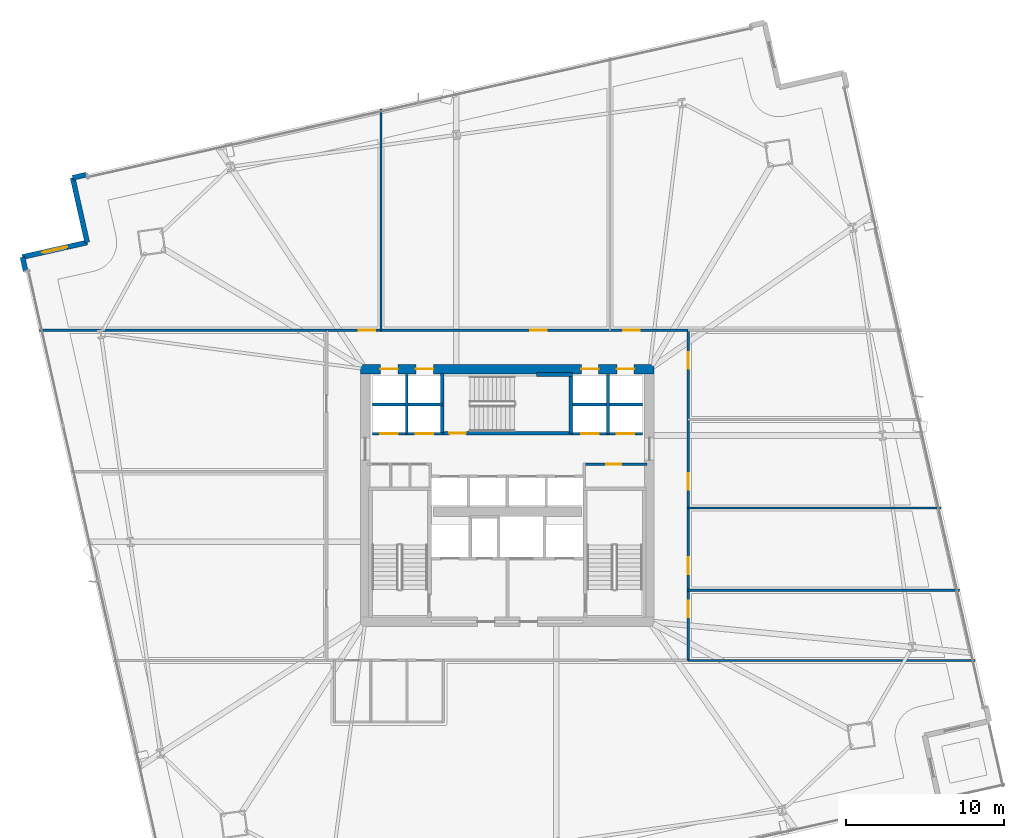
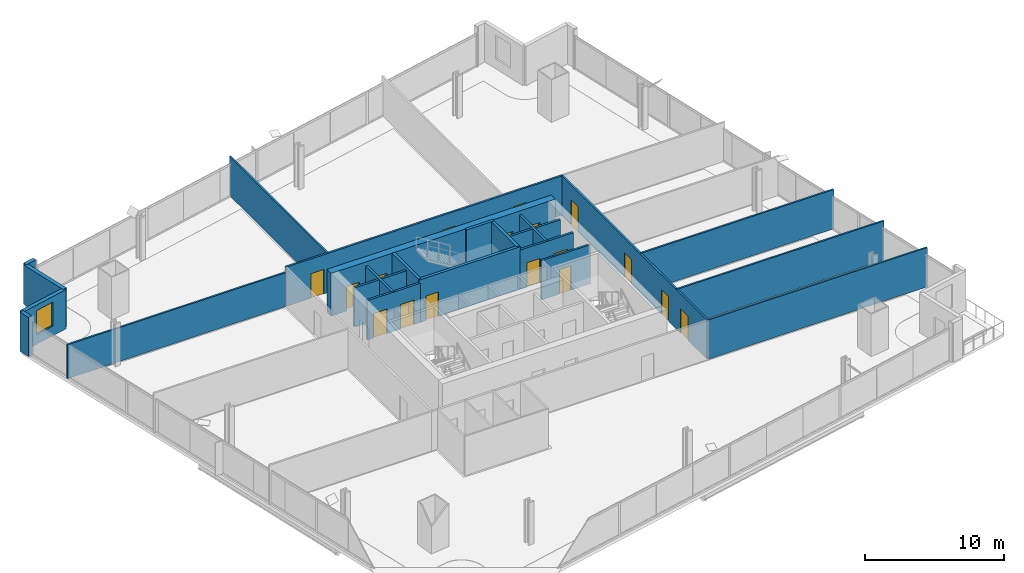
# One storey, part 26 of 32: 23 walls, 17 doors, 1 window, 18 openings.
"""IFC4 building model written with IfcOpenShell, lengths in metres."""

from ifc_helpers import new_model, si_unit, direction, frame, frame_2d, origin, place, context, subcontext, project, spatial, rectangle, extrude, material, layer, layer_set, type_object, element, fill, save


model = new_model("IFC4")

# Units and contexts
model_context = context("Model", 3, precision=1e-05, world=origin(), true_north=direction((0.0, 1.0)))
body_context = subcontext(model_context, "Body", "Model", "MODEL_VIEW")
ifc_project = project(units=[si_unit("LENGTHUNIT", "METRE"), si_unit("AREAUNIT", "SQUARE_METRE"), si_unit("VOLUMEUNIT", "CUBIC_METRE"), si_unit("PLANEANGLEUNIT", "RADIAN"), si_unit("MASSUNIT", "GRAM", prefix="KILO")], contexts=[model_context])

# Site, building, storey
site_placement = place(None, origin())
site = spatial("IfcSite", under=ifc_project, at=site_placement, CompositionType="ELEMENT")
building_placement = place(site_placement, origin())
building = spatial("IfcBuilding", under=site, at=building_placement, Name="Haldenkirk Collegiate Tower", CompositionType="ELEMENT")
storey_placement = place(building_placement, frame((0.0, 0.0, 70.199951171875)))
storey = spatial("IfcBuildingStorey", under=building, at=storey_placement, Name="L16", CompositionType="ELEMENT", Elevation=70.199951171875)

# Wall, openings, doors
ifc_material_1 = material(Name="Concrete f'c 70 MPa", Category="concrete")
ifc_layer_1 = layer(ifc_material_1, 0.60009765625)
ifc_layer_set_1 = layer_set([ifc_layer_1], Name="Concrete f'c 70 MPa")
wall_type_1 = type_object("IfcWallType", Name="WL-CORE-600", PredefinedType="SHEAR", material=ifc_layer_set_1)
wall_1_placement = place(storey_placement, frame((26.699951171875, 34.0, 0.0), z_axis=(0.0, 0.0, 1.0), x_axis=(1.0, 0.0, 0.0)))
wall_1 = element("IfcWall", 1, at=wall_1_placement, inside=storey, type_object=wall_type_1, Name="L16 central core shear wall N", PredefinedType="SHEAR", context=body_context, shape_type="SweptSolid", body=[
    extrude(rectangle(XDim=18.60009765625, YDim=0.60009765625, at=frame_2d((9.300048828125, 0.0))), origin(), (0.0, 0.0, 1.0), 3.75),
])
opening_1_placement = place(wall_1_placement, frame((1.264892578125, 0.0, 0.0)))
opening_1 = element("IfcOpeningElement", 2, at=opening_1_placement, cuts=wall_1, Name="Opening LD-11", PredefinedType="OPENING", context=body_context, shape_type="SweptSolid", body=[
    extrude(rectangle(XDim=1.10009765625, YDim=2.14990234375, at=frame_2d((0.550048828125, 1.074951171875))), frame((0.0, 0.31005859375, 0.0), z_axis=(0.0, -1.0, 0.0), x_axis=(1.0, 0.0, 0.0)), (0.0, 0.0, 1.0), 0.6201171875),
])
opening_2_placement = place(wall_1_placement, frame((3.514892578125, 0.0, 0.0)))
opening_2 = element("IfcOpeningElement", 3, at=opening_2_placement, cuts=wall_1, Name="Opening LD-11", PredefinedType="OPENING", context=body_context, shape_type="SweptSolid", body=[
    extrude(rectangle(XDim=1.10009765625, YDim=2.14990234375, at=frame_2d((0.550048828125, 1.074951171875))), frame((0.0, 0.31005859375, 0.0), z_axis=(0.0, -1.0, 0.0), x_axis=(1.0, 0.0, 0.0)), (0.0, 0.0, 1.0), 0.6201171875),
])
opening_3_placement = place(wall_1_placement, frame((13.985107421875, 0.0, 0.0)))
opening_3 = element("IfcOpeningElement", 4, at=opening_3_placement, cuts=wall_1, Name="Opening LD-11", PredefinedType="OPENING", context=body_context, shape_type="SweptSolid", body=[
    extrude(rectangle(XDim=1.10009765625, YDim=2.14990234375, at=frame_2d((0.550048828125, 1.074951171875))), frame((0.0, 0.31005859375, 0.0), z_axis=(0.0, -1.0, 0.0), x_axis=(1.0, 0.0, 0.0)), (0.0, 0.0, 1.0), 0.6201171875),
])
opening_4_placement = place(wall_1_placement, frame((16.235107421875, 0.0, 0.0)))
opening_4 = element("IfcOpeningElement", 5, at=opening_4_placement, cuts=wall_1, Name="Opening LD-11", PredefinedType="OPENING", context=body_context, shape_type="SweptSolid", body=[
    extrude(rectangle(XDim=1.10009765625, YDim=2.14990234375, at=frame_2d((0.550048828125, 1.074951171875))), frame((0.0, 0.31005859375, 0.0), z_axis=(0.0, -1.0, 0.0), x_axis=(1.0, 0.0, 0.0)), (0.0, 0.0, 1.0), 0.6201171875),
])
ifc_material_2 = material(Name="Brushed architectural stainless steel", Category="steel")
ifc_layer_2 = layer(ifc_material_2, 0.06005859375)
ifc_layer_set_2 = layer_set([ifc_layer_2], Name="Brushed architectural stainless steel")
door_type_1 = type_object("IfcDoorType", Name="LD-PASS-1100", OperationType="NOTDEFINED", PredefinedType="DOOR", material=ifc_layer_set_2)
door_1_placement = place(opening_1_placement, origin())
door_1 = element("IfcDoor", 6, at=door_1_placement, inside=storey, type_object=door_type_1, Name="L16 Elevator PL3 sliding landing door", OperationType="SLIDING_TO_LEFT", OverallHeight=2.14990234375, OverallWidth=1.10009765625, PredefinedType="DOOR", context=body_context, shape_type="SweptSolid", body=[
    extrude(rectangle(XDim=1.10009765625, YDim=2.14990234375, at=frame_2d((0.550048828125, 1.074951171875))), frame((0.0, 0.02490234375, 0.0), z_axis=(0.0, -1.0, 0.0), x_axis=(1.0, 0.0, 0.0)), (0.0, 0.0, 1.0), 0.050048828125),
])
fill(opening_1, door_1)
door_2_placement = place(opening_2_placement, origin())
door_2 = element("IfcDoor", 7, at=door_2_placement, inside=storey, type_object=door_type_1, Name="L16 Elevator PL4 sliding landing door", OperationType="SLIDING_TO_LEFT", OverallHeight=2.14990234375, OverallWidth=1.10009765625, PredefinedType="DOOR", context=body_context, shape_type="SweptSolid", body=[
    extrude(rectangle(XDim=1.10009765625, YDim=2.14990234375, at=frame_2d((0.550048828125, 1.074951171875))), frame((0.0, 0.02490234375, 0.0), z_axis=(0.0, -1.0, 0.0), x_axis=(1.0, 0.0, 0.0)), (0.0, 0.0, 1.0), 0.050048828125),
])
fill(opening_2, door_2)
door_3_placement = place(opening_3_placement, origin())
door_3 = element("IfcDoor", 8, at=door_3_placement, inside=storey, type_object=door_type_1, Name="L16 Elevator PM3 sliding landing door", OperationType="SLIDING_TO_LEFT", OverallHeight=2.14990234375, OverallWidth=1.10009765625, PredefinedType="DOOR", context=body_context, shape_type="SweptSolid", body=[
    extrude(rectangle(XDim=1.10009765625, YDim=2.14990234375, at=frame_2d((0.550048828125, 1.074951171875))), frame((0.0, 0.02490234375, 0.0), z_axis=(0.0, -1.0, 0.0), x_axis=(1.0, 0.0, 0.0)), (0.0, 0.0, 1.0), 0.050048828125),
])
fill(opening_3, door_3)
door_4_placement = place(opening_4_placement, origin())
door_4 = element("IfcDoor", 9, at=door_4_placement, inside=storey, type_object=door_type_1, Name="L16 Elevator PM4 sliding landing door", OperationType="SLIDING_TO_LEFT", OverallHeight=2.14990234375, OverallWidth=1.10009765625, PredefinedType="DOOR", context=body_context, shape_type="SweptSolid", body=[
    extrude(rectangle(XDim=1.10009765625, YDim=2.14990234375, at=frame_2d((0.550048828125, 1.074951171875))), frame((0.0, 0.02490234375, 0.0), z_axis=(0.0, -1.0, 0.0), x_axis=(1.0, 0.0, 0.0)), (0.0, 0.0, 1.0), 0.050048828125),
])
fill(opening_4, door_4)

# Walls
ifc_material_3 = material(Name="Precast concrete f'c 40 MPa", Category="concrete")
ifc_layer_3 = layer(ifc_material_3, 0.320068359375)
ifc_layer_set_3 = layer_set([ifc_layer_3], Name="Precast concrete f'c 40 MPa")
wall_type_2 = type_object("IfcWallType", Name="WL-EXT-TWR-320", PredefinedType="STANDARD", material=ifc_layer_set_3)
wall_2_placement = place(storey_placement, frame((8.477783203125, 46.11083984375, 0.0), z_axis=(0.0, 0.0, 1.0), x_axis=(0.975686665965, 0.219170093439, 0.0)))
element("IfcWall", 10, at=wall_2_placement, inside=storey, type_object=wall_type_2, Name="L16 precast corner pier NL", PredefinedType="STANDARD", context=body_context, shape_type="SweptSolid", body=[
    extrude(rectangle(XDim=0.900146484375, YDim=0.320068359375, at=frame_2d((0.4501953125, 0.0))), origin(), (0.0, 0.0, 1.0), 3.43994140625),
])
wall_3_placement = place(storey_placement, frame((9.3974609375, 42.012939453125, 0.0), z_axis=(0.0, 0.0, 1.0), x_axis=(-0.218979611585, 0.975729434685, 0.0)))
element("IfcWall", 11, at=wall_3_placement, inside=storey, type_object=wall_type_2, Name="L16 bronze precast notch wall 08", PredefinedType="STANDARD", context=body_context, shape_type="SweptSolid", body=[
    extrude(rectangle(XDim=4.199951171875, YDim=0.320068359375, at=frame_2d((2.10009765625, 0.0))), origin(), (0.0, 0.0, 1.0), 3.43994140625),
])

# Wall, opening, window
wall_4_placement = place(storey_placement, frame((5.299560546875, 41.093017578125, 0.0), z_axis=(0.0, 0.0, 1.0), x_axis=(0.975717012714, 0.219034954061, 0.0)))
wall_4 = element("IfcWall", 12, at=wall_4_placement, inside=storey, type_object=wall_type_2, Name="L16 bronze precast notch wall 09", PredefinedType="STANDARD", context=body_context, shape_type="SweptSolid", body=[
    extrude(rectangle(XDim=4.199951171875, YDim=0.320068359375, at=frame_2d((2.10009765625, 0.0))), origin(), (0.0, 0.0, 1.0), 3.43994140625),
])
opening_5_placement = place(wall_4_placement, frame((1.300048828125, 0.0, 0.85009765625)))
opening_5 = element("IfcOpeningElement", 13, at=opening_5_placement, cuts=wall_4, Name="Opening W-03", PredefinedType="OPENING", context=body_context, shape_type="SweptSolid", body=[
    extrude(rectangle(XDim=1.60009765625, YDim=2.10009765625, at=frame_2d((0.800048828125, 1.050048828125))), frame((0.0, 0.169921875, 0.0), z_axis=(0.0, -1.0, 0.0), x_axis=(1.0, 0.0, 0.0)), (0.0, 0.0, 1.0), 0.340087890625),
])
ifc_material_4 = material(Name="Low-E argon triple insulating glass", Category="glass")
ifc_layer_4 = layer(ifc_material_4, 0.090087890625)
ifc_layer_set_4 = layer_set([ifc_layer_4], Name="Low-E argon triple insulating glass")
window_type = type_object("IfcWindowType", Name="WN-Z1-1600X2100", PartitioningType="SINGLE_PANEL", PredefinedType="WINDOW", material=ifc_layer_set_4)
window_placement = place(opening_5_placement, origin())
window = element("IfcWindow", 14, at=window_placement, inside=storey, type_object=window_type, Name="L16 precast-frame academic window 8", OverallHeight=2.10009765625, OverallWidth=1.60009765625, PartitioningType="SINGLE_PANEL", PredefinedType="WINDOW", context=body_context, shape_type="SweptSolid", body=[
    extrude(rectangle(XDim=1.60009765625, YDim=2.10009765625, at=frame_2d((0.800048828125, 1.050048828125))), frame((0.0, 0.030029296875, 0.0), z_axis=(0.0, -1.0, 0.0), x_axis=(1.0, 0.0, 0.0)), (0.0, 0.0, 1.0), 0.06005859375),
])
fill(opening_5, window)

# Wall
wall_5_placement = place(storey_placement, frame((5.49658203125, 40.21484375, 0.0), z_axis=(0.0, 0.0, 1.0), x_axis=(-0.218911849947, 0.975744639725, 0.0)))
element("IfcWall", 15, at=wall_5_placement, inside=storey, type_object=wall_type_2, Name="L16 precast corner pier WR", PredefinedType="STANDARD", context=body_context, shape_type="SweptSolid", body=[
    extrude(rectangle(XDim=0.89990234375, YDim=0.320068359375, at=frame_2d((0.449951171875, 0.0))), origin(), (0.0, 0.0, 1.0), 3.43994140625),
])

# Wall, opening, door
ifc_material_5 = material(Name="Acoustic fire-rated gypsum partition", Category="concrete")
ifc_layer_5 = layer(ifc_material_5, 0.159912109375)
ifc_layer_set_5 = layer_set([ifc_layer_5], Name="Acoustic fire-rated gypsum partition")
wall_type_3 = type_object("IfcWallType", Name="WL-INT-CORR-160", PredefinedType="PARTITIONING", material=ifc_layer_set_5)
wall_6_placement = place(storey_placement, frame((40.800048828125, 27.97998046875, 0.0), z_axis=(0.0, 0.0, 1.0), x_axis=(1.0, 0.0, 0.0)))
wall_6 = element("IfcWall", 16, at=wall_6_placement, inside=storey, type_object=wall_type_3, Name="L16 interior partition IW-L16-VCSE-N", PredefinedType="PARTITIONING", context=body_context, shape_type="SweptSolid", body=[
    extrude(rectangle(XDim=4.050048828125, YDim=0.159912109375, at=frame_2d((2.02490234375, 0.0))), origin(), (0.0, 0.0, 1.0), 3.43994140625),
])
opening_6_placement = place(wall_6_placement, frame((1.47509765625, 0.0, 0.0)))
opening_6 = element("IfcOpeningElement", 17, at=opening_6_placement, cuts=wall_6, Name="Opening D-10", PredefinedType="OPENING", context=body_context, shape_type="SweptSolid", body=[
    extrude(rectangle(XDim=0.949951171875, YDim=2.14990234375, at=frame_2d((0.47509765625, 1.074951171875))), frame((0.0, 0.08984375, 0.0), z_axis=(0.0, -1.0, 0.0), x_axis=(1.0, 0.0, 0.0)), (0.0, 0.0, 1.0), 0.179931640625),
])
ifc_material_6 = material(Name="Solid-core architectural oak fire door", Category="wood")
ifc_layer_6 = layer(ifc_material_6, 0.06005859375)
ifc_layer_set_6 = layer_set([ifc_layer_6], Name="Solid-core architectural oak fire door")
door_type_2 = type_object("IfcDoorType", Name="DR-INT-FD60-950", OperationType="NOTDEFINED", PredefinedType="DOOR", material=ifc_layer_set_6)
door_5_placement = place(opening_6_placement, origin())
door_5 = element("IfcDoor", 18, at=door_5_placement, inside=storey, type_object=door_type_2, Name="L16 core archive vault door", OperationType="SINGLE_SWING_RIGHT", OverallHeight=2.14990234375, OverallWidth=0.949951171875, PredefinedType="DOOR", context=body_context, shape_type="SweptSolid", body=[
    extrude(rectangle(XDim=0.949951171875, YDim=2.14990234375, at=frame_2d((0.47509765625, 1.074951171875))), frame((0.0, 0.02490234375, 0.0), z_axis=(0.0, -1.0, 0.0), x_axis=(1.0, 0.0, 0.0)), (0.0, 0.0, 1.0), 0.050048828125),
])
fill(opening_6, door_5)

# Wall, openings, doors
wall_7_placement = place(storey_placement, frame((24.5, 36.449951171875, 0.0), z_axis=(0.0, 0.0, 1.0), x_axis=(1.0, 0.0, 0.0)))
wall_7 = element("IfcWall", 19, at=wall_7_placement, inside=storey, type_object=wall_type_3, Name="L16 interior partition IW-L16-CN", PredefinedType="PARTITIONING", context=body_context, shape_type="SweptSolid", body=[
    extrude(rectangle(XDim=23.0, YDim=0.159912109375, at=frame_2d((11.5, 0.0))), origin(), (0.0, 0.0, 1.0), 3.43994140625),
])
opening_7_placement = place(wall_7_placement, frame((2.0810546875, 0.0, 0.0)))
opening_7 = element("IfcOpeningElement", 20, at=opening_7_placement, cuts=wall_7, Name="Opening D-09", PredefinedType="OPENING", context=body_context, shape_type="SweptSolid", body=[
    extrude(rectangle(XDim=1.050048828125, YDim=2.14990234375, at=frame_2d((0.52490234375, 1.074951171875))), frame((0.0, 0.08984375, 0.0), z_axis=(0.0, -1.0, 0.0), x_axis=(1.0, 0.0, 0.0)), (0.0, 0.0, 1.0), 0.179931640625),
])
opening_8_placement = place(wall_7_placement, frame((12.955078125, 0.0, 0.0)))
opening_8 = element("IfcOpeningElement", 21, at=opening_8_placement, cuts=wall_7, Name="Opening D-09", PredefinedType="OPENING", context=body_context, shape_type="SweptSolid", body=[
    extrude(rectangle(XDim=1.050048828125, YDim=2.14990234375, at=frame_2d((0.52490234375, 1.074951171875))), frame((0.0, 0.08984375, 0.0), z_axis=(0.0, -1.0, 0.0), x_axis=(1.0, 0.0, 0.0)), (0.0, 0.0, 1.0), 0.179931640625),
])
opening_9_placement = place(wall_7_placement, frame((18.84912109375, 0.0, 0.0)))
opening_9 = element("IfcOpeningElement", 22, at=opening_9_placement, cuts=wall_7, Name="Opening D-09", PredefinedType="OPENING", context=body_context, shape_type="SweptSolid", body=[
    extrude(rectangle(XDim=1.050048828125, YDim=2.14990234375, at=frame_2d((0.52490234375, 1.074951171875))), frame((0.0, 0.08984375, 0.0), z_axis=(0.0, -1.0, 0.0), x_axis=(1.0, 0.0, 0.0)), (0.0, 0.0, 1.0), 0.179931640625),
])
ifc_layer_7 = layer(ifc_material_6, 0.06005859375)
ifc_layer_set_7 = layer_set([ifc_layer_7], Name="Solid-core architectural oak fire door")
door_type_3 = type_object("IfcDoorType", Name="DR-INT-FD60-1050", OperationType="NOTDEFINED", PredefinedType="DOOR", material=ifc_layer_set_7)
door_6_placement = place(opening_7_placement, origin())
door_6 = element("IfcDoor", 23, at=door_6_placement, inside=storey, type_object=door_type_3, Name="L16 Catering Tea Kitchen 2 door", OperationType="SINGLE_SWING_LEFT", OverallHeight=2.14990234375, OverallWidth=1.050048828125, PredefinedType="DOOR", context=body_context, shape_type="SweptSolid", body=[
    extrude(rectangle(XDim=1.050048828125, YDim=2.14990234375, at=frame_2d((0.52490234375, 1.074951171875))), frame((0.0, 0.02490234375, 0.0), z_axis=(0.0, -1.0, 0.0), x_axis=(1.0, 0.0, 0.0)), (0.0, 0.0, 1.0), 0.050048828125),
])
fill(opening_7, door_6)
door_7_placement = place(opening_8_placement, origin())
door_7 = element("IfcDoor", 24, at=door_7_placement, inside=storey, type_object=door_type_3, Name="L16 Faculty Tea Kitchen 3 door", OperationType="SINGLE_SWING_RIGHT", OverallHeight=2.14990234375, OverallWidth=1.050048828125, PredefinedType="DOOR", context=body_context, shape_type="SweptSolid", body=[
    extrude(rectangle(XDim=1.050048828125, YDim=2.14990234375, at=frame_2d((0.52490234375, 1.074951171875))), frame((0.0, 0.02490234375, 0.0), z_axis=(0.0, -1.0, 0.0), x_axis=(1.0, 0.0, 0.0)), (0.0, 0.0, 1.0), 0.050048828125),
])
fill(opening_8, door_7)
door_8_placement = place(opening_9_placement, origin())
door_8 = element("IfcDoor", 25, at=door_8_placement, inside=storey, type_object=door_type_3, Name="L16 Academic Tea Kitchen 4 door", OperationType="SINGLE_SWING_LEFT", OverallHeight=2.14990234375, OverallWidth=1.050048828125, PredefinedType="DOOR", context=body_context, shape_type="SweptSolid", body=[
    extrude(rectangle(XDim=1.050048828125, YDim=2.14990234375, at=frame_2d((0.52490234375, 1.074951171875))), frame((0.0, 0.02490234375, 0.0), z_axis=(0.0, -1.0, 0.0), x_axis=(1.0, 0.0, 0.0)), (0.0, 0.0, 1.0), 0.050048828125),
])
fill(opening_9, door_8)

wall_8_placement = place(storey_placement, frame((47.449951171875, 15.550048828125, 0.0), z_axis=(0.0, 0.0, 1.0), x_axis=(0.0, 1.0, 0.0)))
wall_8 = element("IfcWall", 26, at=wall_8_placement, inside=storey, type_object=wall_type_3, Name="L16 interior partition IW-L16-CE", PredefinedType="PARTITIONING", context=body_context, shape_type="SweptSolid", body=[
    extrude(rectangle(XDim=20.89990234375, YDim=0.159912109375, at=frame_2d((10.449951171875, 0.0))), origin(), (0.0, 0.0, 1.0), 3.43994140625),
])
opening_10_placement = place(wall_8_placement, frame((2.72705078125, 0.0, 0.0)))
opening_10 = element("IfcOpeningElement", 27, at=opening_10_placement, cuts=wall_8, Name="Opening D-09", PredefinedType="OPENING", context=body_context, shape_type="SweptSolid", body=[
    extrude(rectangle(XDim=1.050048828125, YDim=2.14990234375, at=frame_2d((0.52490234375, 1.074951171875))), frame((0.0, 0.08984375, 0.0), z_axis=(0.0, -1.0, 0.0), x_axis=(1.0, 0.0, 0.0)), (0.0, 0.0, 1.0), 0.179931640625),
])
opening_11_placement = place(wall_8_placement, frame((5.468994140625, 0.0, 0.0)))
opening_11 = element("IfcOpeningElement", 28, at=opening_11_placement, cuts=wall_8, Name="Opening D-09", PredefinedType="OPENING", context=body_context, shape_type="SweptSolid", body=[
    extrude(rectangle(XDim=1.050048828125, YDim=2.14990234375, at=frame_2d((0.52490234375, 1.074951171875))), frame((0.0, 0.08984375, 0.0), z_axis=(0.0, -1.0, 0.0), x_axis=(1.0, 0.0, 0.0)), (0.0, 0.0, 1.0), 0.179931640625),
])
opening_12_placement = place(wall_8_placement, frame((10.797119140625, 0.0, 0.0)))
opening_12 = element("IfcOpeningElement", 29, at=opening_12_placement, cuts=wall_8, Name="Opening D-09", PredefinedType="OPENING", context=body_context, shape_type="SweptSolid", body=[
    extrude(rectangle(XDim=1.050048828125, YDim=2.14990234375, at=frame_2d((0.52490234375, 1.074951171875))), frame((0.0, 0.08984375, 0.0), z_axis=(0.0, -1.0, 0.0), x_axis=(1.0, 0.0, 0.0)), (0.0, 0.0, 1.0), 0.179931640625),
])
opening_13_placement = place(wall_8_placement, frame((18.4609375, 0.0, 0.0)))
opening_13 = element("IfcOpeningElement", 30, at=opening_13_placement, cuts=wall_8, Name="Opening D-09", PredefinedType="OPENING", context=body_context, shape_type="SweptSolid", body=[
    extrude(rectangle(XDim=1.050048828125, YDim=2.14990234375, at=frame_2d((0.52490234375, 1.074951171875))), frame((0.0, 0.08984375, 0.0), z_axis=(0.0, -1.0, 0.0), x_axis=(1.0, 0.0, 0.0)), (0.0, 0.0, 1.0), 0.179931640625),
])
door_9_placement = place(opening_10_placement, origin())
door_9 = element("IfcDoor", 31, at=door_9_placement, inside=storey, type_object=door_type_3, Name="L16 Hospitality Tea Kitchen 7 door", OperationType="SINGLE_SWING_RIGHT", OverallHeight=2.14990234375, OverallWidth=1.050048828125, PredefinedType="DOOR", context=body_context, shape_type="SweptSolid", body=[
    extrude(rectangle(XDim=1.050048828125, YDim=2.14990234375, at=frame_2d((0.52490234375, 1.074951171875))), frame((0.0, 0.02490234375, 0.0), z_axis=(0.0, -1.0, 0.0), x_axis=(1.0, 0.0, 0.0)), (0.0, 0.0, 1.0), 0.050048828125),
])
fill(opening_10, door_9)
door_10_placement = place(opening_11_placement, origin())
door_10 = element("IfcDoor", 32, at=door_10_placement, inside=storey, type_object=door_type_3, Name="L16 Catering Tea Kitchen 8 door", OperationType="SINGLE_SWING_LEFT", OverallHeight=2.14990234375, OverallWidth=1.050048828125, PredefinedType="DOOR", context=body_context, shape_type="SweptSolid", body=[
    extrude(rectangle(XDim=1.050048828125, YDim=2.14990234375, at=frame_2d((0.52490234375, 1.074951171875))), frame((0.0, 0.02490234375, 0.0), z_axis=(0.0, -1.0, 0.0), x_axis=(1.0, 0.0, 0.0)), (0.0, 0.0, 1.0), 0.050048828125),
])
fill(opening_11, door_10)
door_11_placement = place(opening_12_placement, origin())
door_11 = element("IfcDoor", 33, at=door_11_placement, inside=storey, type_object=door_type_3, Name="L16 Faculty Tea Kitchen 9 door", OperationType="SINGLE_SWING_RIGHT", OverallHeight=2.14990234375, OverallWidth=1.050048828125, PredefinedType="DOOR", context=body_context, shape_type="SweptSolid", body=[
    extrude(rectangle(XDim=1.050048828125, YDim=2.14990234375, at=frame_2d((0.52490234375, 1.074951171875))), frame((0.0, 0.02490234375, 0.0), z_axis=(0.0, -1.0, 0.0), x_axis=(1.0, 0.0, 0.0)), (0.0, 0.0, 1.0), 0.050048828125),
])
fill(opening_12, door_11)
door_12_placement = place(opening_13_placement, origin())
door_12 = element("IfcDoor", 34, at=door_12_placement, inside=storey, type_object=door_type_3, Name="L16 Academic Tea Kitchen 10 door", OperationType="SINGLE_SWING_LEFT", OverallHeight=2.14990234375, OverallWidth=1.050048828125, PredefinedType="DOOR", context=body_context, shape_type="SweptSolid", body=[
    extrude(rectangle(XDim=1.050048828125, YDim=2.14990234375, at=frame_2d((0.52490234375, 1.074951171875))), frame((0.0, 0.02490234375, 0.0), z_axis=(0.0, -1.0, 0.0), x_axis=(1.0, 0.0, 0.0)), (0.0, 0.0, 1.0), 0.050048828125),
])
fill(opening_13, door_12)

# Walls
ifc_layer_8 = layer(ifc_material_5, 0.139892578125)
ifc_layer_set_8 = layer_set([ifc_layer_8], Name="Acoustic fire-rated gypsum partition")
wall_type_4 = type_object("IfcWallType", Name="WL-INT-DIV-140", PredefinedType="PARTITIONING", material=ifc_layer_set_8)
wall_9_placement = place(storey_placement, frame((6.382568359375, 36.449951171875, 0.0), z_axis=(0.0, 0.0, 1.0), x_axis=(1.0, 0.0, 0.0)))
element("IfcWall", 35, at=wall_9_placement, inside=storey, type_object=wall_type_4, Name="L16 interior partition IW-L16-BWN", PredefinedType="PARTITIONING", context=body_context, shape_type="SweptSolid", body=[
    extrude(rectangle(XDim=18.16748046875, YDim=0.139892578125, at=frame_2d((9.083740234375, 0.0))), origin(), (0.0, 0.0, 1.0), 2.97216796875),
])
wall_10_placement = place(storey_placement, frame((47.449951171875, 15.550048828125, 0.0), z_axis=(0.0, 0.0, 1.0), x_axis=(1.0, 0.0, 0.0)))
element("IfcWall", 36, at=wall_10_placement, inside=storey, type_object=wall_type_4, Name="L16 interior partition IW-L16-BES", PredefinedType="PARTITIONING", context=body_context, shape_type="SweptSolid", body=[
    extrude(rectangle(XDim=18.16748046875, YDim=0.139892578125, at=frame_2d((9.083740234375, 0.0))), origin(), (0.0, 0.0, 1.0), 3.43994140625),
])
wall_11_placement = place(storey_placement, frame((28.0, 36.449951171875, 0.0), z_axis=(0.0, 0.0, 1.0), x_axis=(0.0, 1.0, 0.0)))
element("IfcWall", 37, at=wall_11_placement, inside=storey, type_object=wall_type_4, Name="L16 interior partition IW-L16-RN1", PredefinedType="PARTITIONING", context=body_context, shape_type="SweptSolid", body=[
    extrude(rectangle(XDim=14.001708984375, YDim=0.139892578125, at=frame_2d((7.0009765625, 0.0))), origin(), (0.0, 0.0, 1.0), 3.43994140625),
])
wall_12_placement = place(storey_placement, frame((47.449951171875, 20.0, 0.0), z_axis=(0.0, 0.0, 1.0), x_axis=(1.0, 0.0, 0.0)))
element("IfcWall", 38, at=wall_12_placement, inside=storey, type_object=wall_type_4, Name="L16 interior partition IW-L16-RE1", PredefinedType="PARTITIONING", context=body_context, shape_type="SweptSolid", body=[
    extrude(rectangle(XDim=17.168701171875, YDim=0.139892578125, at=frame_2d((8.58447265625, 0.0))), origin(), (0.0, 0.0, 1.0), 3.43994140625),
])
wall_13_placement = place(storey_placement, frame((47.449951171875, 25.199951171875, 0.0), z_axis=(0.0, 0.0, 1.0), x_axis=(1.0, 0.0, 0.0)))
element("IfcWall", 39, at=wall_13_placement, inside=storey, type_object=wall_type_4, Name="L16 interior partition IW-L16-RE2", PredefinedType="PARTITIONING", context=body_context, shape_type="SweptSolid", body=[
    extrude(rectangle(XDim=16.001708984375, YDim=0.139892578125, at=frame_2d((8.0009765625, 0.0))), origin(), (0.0, 0.0, 1.0), 3.43994140625),
])

# Wall, openings, doors
ifc_material_7 = material(Name="Fire-rated gypsum shaftboard assembly", Category="concrete")
ifc_layer_9 = layer(ifc_material_7, 0.179931640625)
ifc_layer_set_9 = layer_set([ifc_layer_9], Name="Fire-rated gypsum shaftboard assembly")
wall_type_5 = type_object("IfcWallType", Name="WL-INT-SHAFT-180", PredefinedType="PARTITIONING", material=ifc_layer_set_9)
wall_14_placement = place(storey_placement, frame((27.449951171875, 29.89990234375, 0.0), z_axis=(0.0, 0.0, 1.0), x_axis=(1.0, 0.0, 0.0)))
wall_14 = element("IfcWall", 40, at=wall_14_placement, inside=storey, type_object=wall_type_5, Name="L16 interior partition IW-L16-PLS", PredefinedType="PARTITIONING", context=body_context, shape_type="SweptSolid", body=[
    extrude(rectangle(XDim=4.429931640625, YDim=0.179931640625, at=frame_2d((2.21484375, 0.0))), origin(), (0.0, 0.0, 1.0), 3.43994140625),
])
opening_14_placement = place(wall_14_placement, frame((0.514892578125, 0.0, 0.0)))
opening_14 = element("IfcOpeningElement", 41, at=opening_14_placement, cuts=wall_14, Name="Opening LD-11", PredefinedType="OPENING", context=body_context, shape_type="SweptSolid", body=[
    extrude(rectangle(XDim=1.10009765625, YDim=2.14990234375, at=frame_2d((0.550048828125, 1.074951171875))), frame((0.0, 0.099853515625, 0.0), z_axis=(0.0, -1.0, 0.0), x_axis=(1.0, 0.0, 0.0)), (0.0, 0.0, 1.0), 0.199951171875),
])
opening_15_placement = place(wall_14_placement, frame((2.764892578125, 0.0, 0.0)))
opening_15 = element("IfcOpeningElement", 42, at=opening_15_placement, cuts=wall_14, Name="Opening LD-11", PredefinedType="OPENING", context=body_context, shape_type="SweptSolid", body=[
    extrude(rectangle(XDim=1.10009765625, YDim=2.14990234375, at=frame_2d((0.550048828125, 1.074951171875))), frame((0.0, 0.099853515625, 0.0), z_axis=(0.0, -1.0, 0.0), x_axis=(1.0, 0.0, 0.0)), (0.0, 0.0, 1.0), 0.199951171875),
])
door_13_placement = place(opening_14_placement, origin())
door_13 = element("IfcDoor", 43, at=door_13_placement, inside=storey, type_object=door_type_1, Name="L16 Elevator PL1 sliding landing door", OperationType="SLIDING_TO_LEFT", OverallHeight=2.14990234375, OverallWidth=1.10009765625, PredefinedType="DOOR", context=body_context, shape_type="SweptSolid", body=[
    extrude(rectangle(XDim=1.10009765625, YDim=2.14990234375, at=frame_2d((0.550048828125, 1.074951171875))), frame((0.0, 0.02490234375, 0.0), z_axis=(0.0, -1.0, 0.0), x_axis=(1.0, 0.0, 0.0)), (0.0, 0.0, 1.0), 0.050048828125),
])
fill(opening_14, door_13)
door_14_placement = place(opening_15_placement, origin())
door_14 = element("IfcDoor", 44, at=door_14_placement, inside=storey, type_object=door_type_1, Name="L16 Elevator PL2 sliding landing door", OperationType="SLIDING_TO_LEFT", OverallHeight=2.14990234375, OverallWidth=1.10009765625, PredefinedType="DOOR", context=body_context, shape_type="SweptSolid", body=[
    extrude(rectangle(XDim=1.10009765625, YDim=2.14990234375, at=frame_2d((0.550048828125, 1.074951171875))), frame((0.0, 0.02490234375, 0.0), z_axis=(0.0, -1.0, 0.0), x_axis=(1.0, 0.0, 0.0)), (0.0, 0.0, 1.0), 0.050048828125),
])
fill(opening_15, door_14)

# Walls
wall_15_placement = place(storey_placement, frame((27.449951171875, 31.75, 0.0), z_axis=(0.0, 0.0, 1.0), x_axis=(1.0, 0.0, 0.0)))
element("IfcWall", 45, at=wall_15_placement, inside=storey, type_object=wall_type_5, Name="L16 interior partition IW-L16-PLM", PredefinedType="PARTITIONING", context=body_context, shape_type="SweptSolid", body=[
    extrude(rectangle(XDim=4.429931640625, YDim=0.179931640625, at=frame_2d((2.21484375, 0.0))), origin(), (0.0, 0.0, 1.0), 3.43994140625),
])
wall_16_placement = place(storey_placement, frame((29.6298828125, 29.89990234375, 0.0), z_axis=(0.0, 0.0, 1.0), x_axis=(0.0, 1.0, 0.0)))
element("IfcWall", 46, at=wall_16_placement, inside=storey, type_object=wall_type_5, Name="L16 interior partition IW-L16-PLV", PredefinedType="PARTITIONING", context=body_context, shape_type="SweptSolid", body=[
    extrude(rectangle(XDim=3.75, YDim=0.179931640625, at=frame_2d((1.875, 0.0))), origin(), (0.0, 0.0, 1.0), 3.43994140625),
])

# Wall, openings, doors
wall_17_placement = place(storey_placement, frame((40.1201171875, 29.89990234375, 0.0), z_axis=(0.0, 0.0, 1.0), x_axis=(1.0, 0.0, 0.0)))
wall_17 = element("IfcWall", 47, at=wall_17_placement, inside=storey, type_object=wall_type_5, Name="L16 interior partition IW-L16-PMS", PredefinedType="PARTITIONING", context=body_context, shape_type="SweptSolid", body=[
    extrude(rectangle(XDim=4.429931640625, YDim=0.179931640625, at=frame_2d((2.21484375, 0.0))), origin(), (0.0, 0.0, 1.0), 3.43994140625),
])
opening_16_placement = place(wall_17_placement, frame((0.56494140625, 0.0, 0.0)))
opening_16 = element("IfcOpeningElement", 48, at=opening_16_placement, cuts=wall_17, Name="Opening LD-11", PredefinedType="OPENING", context=body_context, shape_type="SweptSolid", body=[
    extrude(rectangle(XDim=1.10009765625, YDim=2.14990234375, at=frame_2d((0.550048828125, 1.074951171875))), frame((0.0, 0.099853515625, 0.0), z_axis=(0.0, -1.0, 0.0), x_axis=(1.0, 0.0, 0.0)), (0.0, 0.0, 1.0), 0.199951171875),
])
opening_17_placement = place(wall_17_placement, frame((2.81494140625, 0.0, 0.0)))
opening_17 = element("IfcOpeningElement", 49, at=opening_17_placement, cuts=wall_17, Name="Opening LD-11", PredefinedType="OPENING", context=body_context, shape_type="SweptSolid", body=[
    extrude(rectangle(XDim=1.10009765625, YDim=2.14990234375, at=frame_2d((0.550048828125, 1.074951171875))), frame((0.0, 0.099853515625, 0.0), z_axis=(0.0, -1.0, 0.0), x_axis=(1.0, 0.0, 0.0)), (0.0, 0.0, 1.0), 0.199951171875),
])
door_15_placement = place(opening_16_placement, origin())
door_15 = element("IfcDoor", 50, at=door_15_placement, inside=storey, type_object=door_type_1, Name="L16 Elevator PM1 sliding landing door", OperationType="SLIDING_TO_LEFT", OverallHeight=2.14990234375, OverallWidth=1.10009765625, PredefinedType="DOOR", context=body_context, shape_type="SweptSolid", body=[
    extrude(rectangle(XDim=1.10009765625, YDim=2.14990234375, at=frame_2d((0.550048828125, 1.074951171875))), frame((0.0, 0.02490234375, 0.0), z_axis=(0.0, -1.0, 0.0), x_axis=(1.0, 0.0, 0.0)), (0.0, 0.0, 1.0), 0.050048828125),
])
fill(opening_16, door_15)
door_16_placement = place(opening_17_placement, origin())
door_16 = element("IfcDoor", 51, at=door_16_placement, inside=storey, type_object=door_type_1, Name="L16 Elevator PM2 sliding landing door", OperationType="SLIDING_TO_LEFT", OverallHeight=2.14990234375, OverallWidth=1.10009765625, PredefinedType="DOOR", context=body_context, shape_type="SweptSolid", body=[
    extrude(rectangle(XDim=1.10009765625, YDim=2.14990234375, at=frame_2d((0.550048828125, 1.074951171875))), frame((0.0, 0.02490234375, 0.0), z_axis=(0.0, -1.0, 0.0), x_axis=(1.0, 0.0, 0.0)), (0.0, 0.0, 1.0), 0.050048828125),
])
fill(opening_17, door_16)

# Walls
wall_18_placement = place(storey_placement, frame((40.1201171875, 31.75, 0.0), z_axis=(0.0, 0.0, 1.0), x_axis=(1.0, 0.0, 0.0)))
element("IfcWall", 52, at=wall_18_placement, inside=storey, type_object=wall_type_5, Name="L16 interior partition IW-L16-PMM", PredefinedType="PARTITIONING", context=body_context, shape_type="SweptSolid", body=[
    extrude(rectangle(XDim=4.429931640625, YDim=0.179931640625, at=frame_2d((2.21484375, 0.0))), origin(), (0.0, 0.0, 1.0), 3.43994140625),
])
wall_19_placement = place(storey_placement, frame((42.3701171875, 29.89990234375, 0.0), z_axis=(0.0, 0.0, 1.0), x_axis=(0.0, 1.0, 0.0)))
element("IfcWall", 53, at=wall_19_placement, inside=storey, type_object=wall_type_5, Name="L16 interior partition IW-L16-PMV", PredefinedType="PARTITIONING", context=body_context, shape_type="SweptSolid", body=[
    extrude(rectangle(XDim=3.75, YDim=0.179931640625, at=frame_2d((1.875, 0.0))), origin(), (0.0, 0.0, 1.0), 3.43994140625),
])

# Wall, opening, door
ifc_material_8 = material(Name="Concrete f'c 55 MPa", Category="concrete")
ifc_layer_10 = layer(ifc_material_8, 0.239990234375)
ifc_layer_set_10 = layer_set([ifc_layer_10], Name="Concrete f'c 55 MPa")
wall_type_6 = type_object("IfcWallType", Name="WL-SHAFT-240", PredefinedType="SHEAR", material=ifc_layer_set_10)
wall_20_placement = place(storey_placement, frame((31.760009765625, 29.929931640625, 0.0), z_axis=(0.0, 0.0, 1.0), x_axis=(1.0, 0.0, 0.0)))
wall_20 = element("IfcWall", 54, at=wall_20_placement, inside=storey, type_object=wall_type_6, Name="L16 stair shaft shear wall SW-L16-ST3S", PredefinedType="SHEAR", context=body_context, shape_type="SweptSolid", body=[
    extrude(rectangle(XDim=8.3798828125, YDim=0.239990234375, at=frame_2d((4.18994140625, 0.0))), origin(), (0.0, 0.0, 1.0), 3.75),
])
opening_18_placement = place(wall_20_placement, frame((0.56494140625, 0.0, 0.0)))
opening_18 = element("IfcOpeningElement", 55, at=opening_18_placement, cuts=wall_20, Name="Opening D-01", PredefinedType="OPENING", context=body_context, shape_type="SweptSolid", body=[
    extrude(rectangle(XDim=1.050048828125, YDim=2.14990234375, at=frame_2d((0.52490234375, 1.074951171875))), frame((0.0, 0.1298828125, 0.0), z_axis=(0.0, -1.0, 0.0), x_axis=(1.0, 0.0, 0.0)), (0.0, 0.0, 1.0), 0.260009765625),
])
ifc_material_9 = material(Name="Galvanized fire-rated hollow steel door", Category="steel")
ifc_layer_11 = layer(ifc_material_9, 0.06005859375)
ifc_layer_set_11 = layer_set([ifc_layer_11], Name="Galvanized fire-rated hollow steel door")
door_type_4 = type_object("IfcDoorType", Name="DR-STAIR-FD90-1050", OperationType="NOTDEFINED", PredefinedType="DOOR", material=ifc_layer_set_11)
door_17_placement = place(opening_18_placement, origin())
door_17 = element("IfcDoor", 56, at=door_17_placement, inside=storey, type_object=door_type_4, Name="L16 lift lobby Stair 3 door", OperationType="SINGLE_SWING_LEFT", OverallHeight=2.14990234375, OverallWidth=1.050048828125, PredefinedType="DOOR", context=body_context, shape_type="SweptSolid", body=[
    extrude(rectangle(XDim=1.050048828125, YDim=2.14990234375, at=frame_2d((0.52490234375, 1.074951171875))), frame((0.0, 0.02490234375, 0.0), z_axis=(0.0, -1.0, 0.0), x_axis=(1.0, 0.0, 0.0)), (0.0, 0.0, 1.0), 0.050048828125),
])
fill(opening_18, door_17)

# Walls
wall_21_placement = place(storey_placement, frame((31.8798828125, 29.929931640625, 0.0), z_axis=(0.0, 0.0, 1.0), x_axis=(0.0, 1.0, 0.0)))
element("IfcWall", 57, at=wall_21_placement, inside=storey, type_object=wall_type_6, Name="L16 stair shaft shear wall SW-L16-ST3W", PredefinedType="SHEAR", context=body_context, shape_type="SweptSolid", body=[
    extrude(rectangle(XDim=3.7900390625, YDim=0.239990234375, at=frame_2d((1.89501953125, 0.0))), origin(), (0.0, 0.0, 1.0), 3.75),
])
wall_22_placement = place(storey_placement, frame((40.02001953125, 29.929931640625, 0.0), z_axis=(0.0, 0.0, 1.0), x_axis=(0.0, 1.0, 0.0)))
element("IfcWall", 58, at=wall_22_placement, inside=storey, type_object=wall_type_6, Name="L16 stair shaft shear wall SW-L16-ST3E", PredefinedType="SHEAR", context=body_context, shape_type="SweptSolid", body=[
    extrude(rectangle(XDim=3.85009765625, YDim=0.239990234375, at=frame_2d((1.925048828125, 0.0))), origin(), (0.0, 0.0, 1.0), 3.75),
])
wall_23_placement = place(storey_placement, frame((37.85009765625, 33.659912109375, 0.0), z_axis=(0.0, 0.0, 1.0), x_axis=(1.0, 0.0, 0.0)))
element("IfcWall", 59, at=wall_23_placement, inside=storey, type_object=wall_type_6, Name="L16 stair shaft shear wall SW-L16-ST3N", PredefinedType="SHEAR", context=body_context, shape_type="SweptSolid", body=[
    extrude(rectangle(XDim=2.289794921875, YDim=0.239990234375, at=frame_2d((1.14501953125, 0.0))), origin(), (0.0, 0.0, 1.0), 3.75),
])

save(model, "model.ifc")
